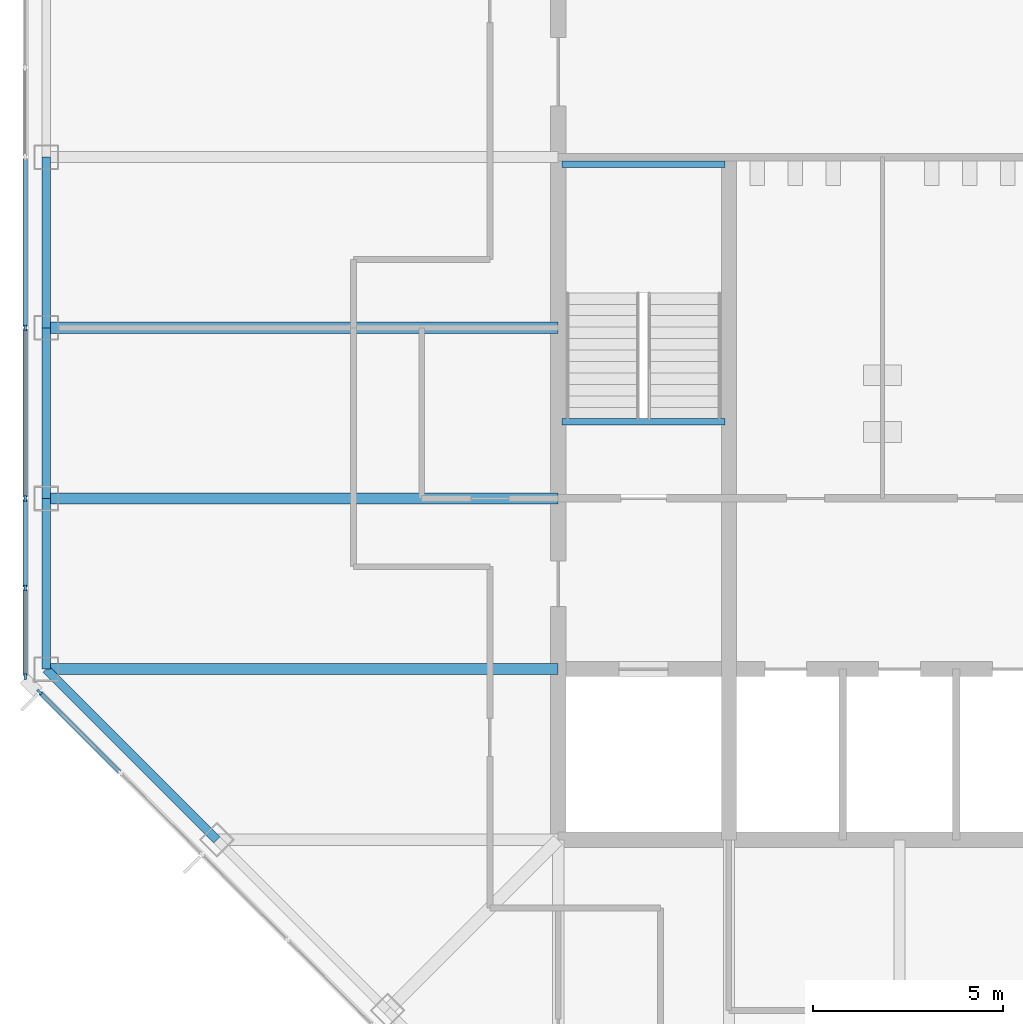
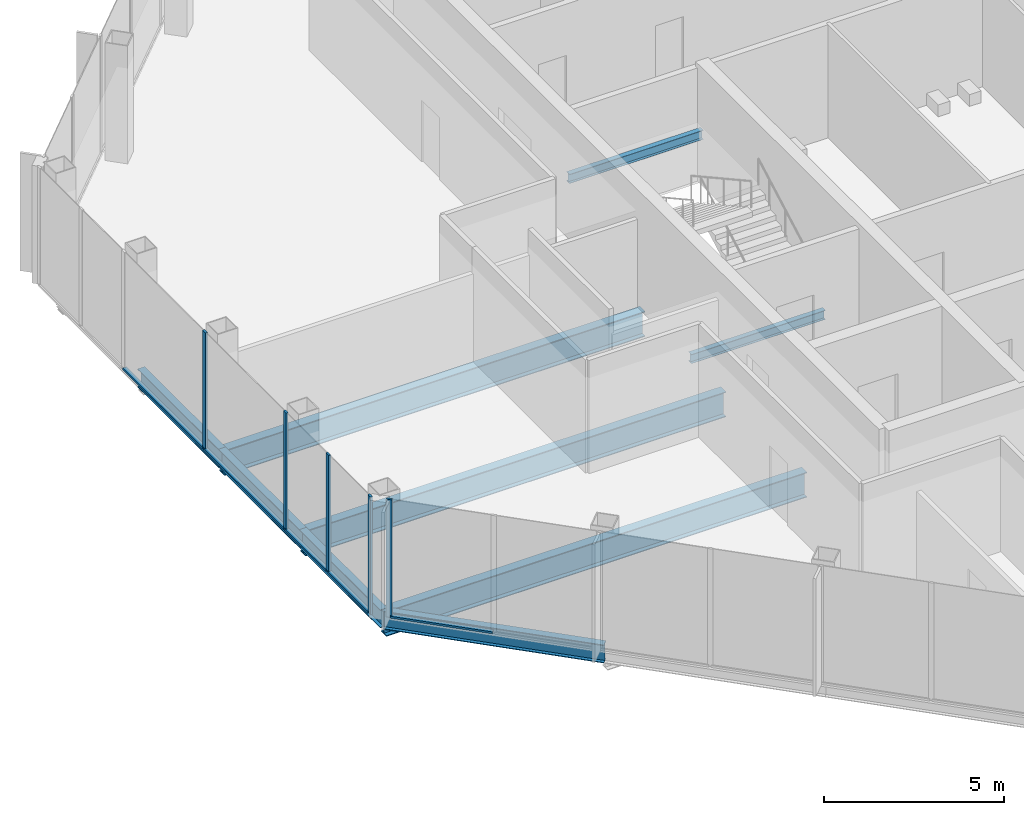
# One storey, part 3 of 13: 10 members, 9 beams, 2 elements without a shape of their own.
"""IFC4 building model written with IfcOpenShell, lengths in metres."""

import ifcopenshell
import ifcopenshell.guid

model = None  # the IFC model being written
_history = None  # IfcOwnerHistory: only IFC2X3 demands one
_inside = {}  # id of a spatial element -> (the spatial element, [elements in it])
_under = {}  # id of a project, library or spatial element -> (it, [spatial elements below it])
_declared = {}  # id of a project -> (the project, [libraries it declares])
_typed = {}  # id of a type object -> (the type object, [elements of that type])
_made_of = {}  # id of a material, layer set ... -> (it, [elements and type objects made of it])


def new_model(schema):
    """Start an empty IFC model of exactly this schema.

    Asked for "IFC4X3", IfcOpenShell would pick the latest addendum, in which some entities
    have other attributes; the version numbers below select the first issue.
    IFC2X3 requires an IfcOwnerHistory on every rooted entity: one is made here for all.
    """
    global model, _history
    if schema == "IFC4X3":
        model = ifcopenshell.file(schema_version=(4, 3, 0, 0))
    else:
        model = ifcopenshell.file(schema=schema)
    _inside.clear()
    _under.clear()
    _declared.clear()
    _typed.clear()
    _made_of.clear()
    _history = None
    if model.schema == "IFC2X3":
        org = make("IfcOrganization", Name="unknown")
        user = make(
            "IfcPersonAndOrganization",
            ThePerson=make("IfcPerson", FamilyName="unknown"),
            TheOrganization=org,
        )
        app = make(
            "IfcApplication",
            ApplicationDeveloper=org,
            Version="unknown",
            ApplicationFullName="unknown",
            ApplicationIdentifier="unknown",
        )
        _history = make(
            "IfcOwnerHistory",
            OwningUser=user,
            OwningApplication=app,
            ChangeAction="ADDED",
            CreationDate=0,
        )
    return model


def make(cls, **values):
    """One entity of the class cls with the attributes given. An attribute that is None is left unset."""
    return model.create_entity(
        cls, **{name: value for name, value in values.items() if value is not None}
    )


def rooted(cls, **values):
    """An entity with a GlobalId (a new one), such as an element, a storey or a relation."""
    return make(cls, GlobalId=ifcopenshell.guid.new(), OwnerHistory=_history, **values)


def si_unit(unit_type, name, prefix=None):
    """IfcSIUnit, for example si_unit("LENGTHUNIT", "METRE", prefix="MILLI")."""
    return make("IfcSIUnit", UnitType=unit_type, Prefix=prefix, Name=name)


def assignment(units):
    """IfcUnitAssignment: the units of a project."""
    return None if units is None else make("IfcUnitAssignment", Units=units)


def point(xyz):
    """IfcCartesianPoint."""
    return None if xyz is None else make("IfcCartesianPoint", Coordinates=xyz)


def direction(xyz):
    """IfcDirection."""
    return None if xyz is None else make("IfcDirection", DirectionRatios=xyz)


def frame(location, z_axis=None, x_axis=None):
    """IfcAxis2Placement3D, a coordinate frame: its origin and axes. An axis left out is left unset."""
    return make(
        "IfcAxis2Placement3D",
        Location=point(location),
        Axis=direction(z_axis),
        RefDirection=direction(x_axis),
    )


def frame_2d(location, x_axis=None):
    """IfcAxis2Placement2D, a coordinate frame in the plane: its origin and x axis."""
    return make(
        "IfcAxis2Placement2D", Location=point(location), RefDirection=direction(x_axis)
    )


def origin():
    """The frame at (0, 0, 0) with its axes left unset."""
    return frame((0.0, 0.0, 0.0))


def origin_2d():
    """The frame at (0, 0) in the plane with its x axis left unset."""
    return frame_2d((0.0, 0.0))


def place(relative_to, where):
    """IfcLocalPlacement: puts the frame where relative to a parent placement (None: the world)."""
    return make(
        "IfcLocalPlacement", PlacementRelTo=relative_to, RelativePlacement=where
    )


def context(
    kind, dimensions, precision=None, world=None, true_north=None, identifier=None
):
    """IfcGeometricRepresentationContext, for example the 3D "Model" context."""
    return make(
        "IfcGeometricRepresentationContext",
        ContextIdentifier=identifier,
        ContextType=kind,
        CoordinateSpaceDimension=dimensions,
        Precision=precision,
        WorldCoordinateSystem=world,
        TrueNorth=true_north,
    )


def subcontext(parent, identifier, kind, view, scale=None):
    """IfcGeometricRepresentationSubContext, for example "Body" below "Model"."""
    return make(
        "IfcGeometricRepresentationSubContext",
        ContextIdentifier=identifier,
        ContextType=kind,
        ParentContext=parent,
        TargetScale=scale,
        TargetView=view,
    )


def project(units=None, contexts=None):
    """IfcProject with its units and contexts."""
    return rooted(
        "IfcProject",
        Name="project",
        RepresentationContexts=contexts,
        UnitsInContext=assignment(units),
    )


def spatial(cls, under=None, at=None, **own):
    """A site, building, storey or space (cls), placed at a placement, below another one or the project."""
    s = rooted(cls, ObjectPlacement=at, **own)
    if under is not None:
        _under.setdefault(under.id(), (under, []))[1].append(s)
    return s


def profile(cls, at=None, kind="AREA", **sizes):
    """A parametric profile (cls). Its sizes go by their IFC names, for example OverallWidth=200.0."""
    return make(cls, ProfileType=kind, Position=at, **sizes)


def rectangle(**sizes):
    """IfcRectangleProfileDef."""
    return profile("IfcRectangleProfileDef", **sizes)


def i_section(**sizes):
    """IfcIShapeProfileDef."""
    return profile("IfcIShapeProfileDef", **sizes)


def extrude(swept, where, along, depth):
    """IfcExtrudedAreaSolid: the profile swept, set in the frame where, extruded along a direction by depth."""
    return make(
        "IfcExtrudedAreaSolid",
        SweptArea=swept,
        Position=where,
        ExtrudedDirection=direction(along),
        Depth=depth,
    )


def shape(context_of_items, identifier, shape_type, items):
    """IfcShapeRepresentation: the items that make up one representation, for example the "Body"."""
    return make(
        "IfcShapeRepresentation",
        ContextOfItems=context_of_items,
        RepresentationIdentifier=identifier,
        RepresentationType=shape_type,
        Items=items,
    )


def material(Name=None, Category=None):
    """IfcMaterial."""
    return make("IfcMaterial", Name=Name, Category=Category)


def material_profile(
    of_material, cross_section, Name=None, Category=None, Priority=None
):
    """IfcMaterialProfile: a cross section and its material."""
    return make(
        "IfcMaterialProfile",
        Name=Name,
        Material=of_material,
        Profile=cross_section,
        Priority=Priority,
        Category=Category,
    )


def profile_set(profiles, Name=None, composite=None):
    """IfcMaterialProfileSet."""
    return make(
        "IfcMaterialProfileSet",
        Name=Name,
        MaterialProfiles=profiles,
        CompositeProfile=composite,
    )


def made_of(thing, what):
    """Note that an element or type object is made of a material, layer set ...; save() writes the relation."""
    if what is not None:
        _made_of.setdefault(what.id(), (what, []))[1].append(thing)
    return thing


def type_object(cls, material=None, **own):
    """A type object (cls), such as IfcWallType, which elements share."""
    return made_of(rooted(cls, **own), material)


def element(
    cls,
    number,
    at=None,
    inside=None,
    cuts=None,
    type_object=None,
    material=None,
    context=None,
    identifier="Body",
    shape_type=None,
    held_by="IfcProductDefinitionShape",
    body=None,
    shapes=None,
    **own,
):
    """One element of the class cls, such as IfcWall. Its Tag is "e" and its number.

    at: its placement. inside: the storey or other place that contains it. cuts: it is an
    opening in that element (IfcRelVoidsElement). A single representation is given by context,
    identifier, shape_type and body (its items); several are given by shapes. held_by: the class
    of the entity that holds the representations. save() writes the other relations.
    """
    e = rooted(cls, Tag="e%d" % number, ObjectPlacement=at, **own)
    if body is not None:
        shapes = [shape(context, identifier, shape_type, body)]
    if shapes is not None:
        e.Representation = make(held_by, Representations=shapes)
    if inside is not None:
        _inside.setdefault(inside.id(), (inside, []))[1].append(e)
    if cuts is not None:
        rooted(
            "IfcRelVoidsElement", RelatingBuildingElement=cuts, RelatedOpeningElement=e
        )
    if type_object is not None:
        _typed.setdefault(type_object.id(), (type_object, []))[1].append(e)
    return made_of(e, material)


def aggregate(whole, parts):
    """IfcRelAggregates: a whole, such as a stair, and the parts it consists of."""
    return rooted("IfcRelAggregates", RelatingObject=whole, RelatedObjects=parts)


def save(model, path):
    """Write the relations noted so far, then the file.

    IfcRelAggregates (storeys below a building ...), IfcRelContainedInSpatialStructure (elements
    in a storey), IfcRelDefinesByType, IfcRelAssociatesMaterial and IfcRelDeclares: one each for
    every whole, place, type object, material and project.
    """
    for whole, parts in _under.values():
        aggregate(whole, parts)
    for where, things in _inside.values():
        rooted(
            "IfcRelContainedInSpatialStructure",
            RelatedElements=things,
            RelatingStructure=where,
        )
    for kind, things in _typed.values():
        rooted("IfcRelDefinesByType", RelatedObjects=things, RelatingType=kind)
    for what, things in _made_of.values():
        rooted("IfcRelAssociatesMaterial", RelatedObjects=things, RelatingMaterial=what)
    for by, libraries in _declared.values():
        rooted("IfcRelDeclares", RelatingContext=by, RelatedDefinitions=libraries)
    model.write(path)


model = new_model("IFC4")

# Units and contexts
model_context = context("Model", 3, precision=1e-05, world=origin(), true_north=direction((0.0, 1.0)))
body_context = subcontext(model_context, "Body", "Model", "MODEL_VIEW")
ifc_project = project(units=[si_unit("LENGTHUNIT", "METRE"), si_unit("AREAUNIT", "SQUARE_METRE"), si_unit("VOLUMEUNIT", "CUBIC_METRE"), si_unit("PLANEANGLEUNIT", "RADIAN"), si_unit("MASSUNIT", "GRAM", prefix="KILO")], contexts=[model_context])

# Site, building, storey
site_placement = place(None, origin())
site = spatial("IfcSite", under=ifc_project, at=site_placement, CompositionType="ELEMENT")
building_placement = place(site_placement, origin())
building = spatial("IfcBuilding", under=site, at=building_placement, Name="Corais Broadcast Tower", CompositionType="ELEMENT")
storey_placement = place(building_placement, frame((0.0, 0.0, 238.60009765625)))
storey = spatial("IfcBuildingStorey", under=building, at=storey_placement, Name="L55", CompositionType="ELEMENT", Elevation=238.60009765625)

# Beams
ifc_material_1 = material(Name="Steel ASTM A572 Grade 50", Category="steel")
ifc_material_profile_1 = material_profile(ifc_material_1, i_section(OverallWidth=0.2939453125, OverallDepth=0.85107421875, WebThickness=0.01611328125, FlangeThickness=0.02685546875, at=origin_2d()), Name="W840x226")
ifc_profile_set_1 = profile_set([ifc_material_profile_1], Name="Steel ASTM A572 Grade 50")
beam_type_1 = type_object("IfcBeamType", Name="Floor beam W840x226", PredefinedType="BEAM", material=ifc_profile_set_1)
for number, where, z_axis, x_axis, name in (
    (1, (0.0, 18.0, -0.585693359375), (1.0, 0.0, 0.0), (0.0, 1.0, 0.0), "B1 E/3 to E/6"),
    (2, (0.0, 22.5, -0.585693359375), (1.0, 0.0, 0.0), (0.0, 1.0, 0.0), "B1 F/3 to F/6"),
    (3, (0.0, 27.0, -0.585693359375), (1.0, 0.0, 0.0), (0.0, 1.0, 0.0), "B1 G/3 to G/6"),
):
    element("IfcBeam", number, at=place(storey_placement, frame(where, z_axis=z_axis, x_axis=x_axis)), inside=storey, type_object=beam_type_1, Name=name, PredefinedType="BEAM", context=body_context, shape_type="SweptSolid", body=[
        extrude(i_section(OverallWidth=0.2939453125, OverallDepth=0.85107421875, WebThickness=0.01611328125, FlangeThickness=0.02685546875, at=origin_2d()), origin(), (0.0, 0.0, 1.0), 13.5),
    ])
ifc_material_2 = material(Name="Steel ASTM A572 Grade 50", Category="steel")
ifc_material_profile_2 = material_profile(ifc_material_2, i_section(OverallWidth=0.1650390625, OverallDepth=0.31005859375, WebThickness=0.005859375, FlangeThickness=0.009765625, at=origin_2d()), Name="W310x38.7")
ifc_profile_set_2 = profile_set([ifc_material_profile_2], Name="Steel ASTM A572 Grade 50")
beam_type_2 = type_object("IfcBeamType", Name="Landing trimmer W310x38.7", PredefinedType="BEAM", material=ifc_profile_set_2)
for number, where, z_axis, x_axis, name in (
    (4, (13.60009765625, 24.52490234375, -0.35498046875), (1.0, 0.0, 0.0), (0.0, 1.0, 0.0), "LT1 stair A landing trimmer L55"),
    (5, (13.60009765625, 31.31005859375, 1.64501953125), (1.0, 0.0, 0.0), (0.0, 1.0, 0.0), "LT1 stair A half landing trimmer L55"),
):
    element("IfcBeam", number, at=place(storey_placement, frame(where, z_axis=z_axis, x_axis=x_axis)), inside=storey, type_object=beam_type_2, Name=name, PredefinedType="BEAM", context=body_context, shape_type="SweptSolid", body=[
        extrude(i_section(OverallWidth=0.1650390625, OverallDepth=0.31005859375, WebThickness=0.005859375, FlangeThickness=0.009765625, at=origin_2d()), origin(), (0.0, 0.0, 1.0), 4.2998046875),
    ])

# Curtain wall, member
ifc_material_3 = material(Name="Aluminium and glass", Category="aluminium")
curtain_wall_type = type_object("IfcCurtainWallType", Name="Unitised fritted curtain wall CW3", PredefinedType="NOTDEFINED", material=ifc_material_3)
curtain_wall_1_placement = place(storey_placement, origin())
curtain_wall_1 = element("IfcCurtainWall", 6, at=curtain_wall_1_placement, inside=storey, type_object=curtain_wall_type, Name="CW3 curtain wall L55 1", PredefinedType="NOTDEFINED")
ifc_material_4 = material(Name="Aluminium 6063-T6", Category="aluminium")
ifc_material_profile_3 = material_profile(ifc_material_4, rectangle(XDim=0.06494140625, YDim=0.159912109375, at=origin_2d()), Name="Mullion CW3 65x160")
ifc_profile_set_3 = profile_set([ifc_material_profile_3], Name="Aluminium 6063-T6")
member_type_1 = type_object("IfcMemberType", Name="Mullion CW3 65x160", PredefinedType="MULLION", material=ifc_profile_set_3)
member_1_placement = place(storey_placement, frame((-0.17333984375, 17.3955078125, 0.0), z_axis=(0.0, 0.0, 1.0), x_axis=(-0.707106781187, -0.707106781187, 0.0)))
member_1 = element("IfcMember", 7, at=member_1_placement, type_object=member_type_1, Name="CW3 mullion 9", PredefinedType="MULLION", context=body_context, shape_type="SweptSolid", body=[
    extrude(rectangle(XDim=0.06494140625, YDim=0.159912109375, at=origin_2d()), origin(), (0.0, 0.0, 1.0), 4.0),
])

# Curtain wall, members
curtain_wall_2_placement = place(storey_placement, origin())
curtain_wall_2 = element("IfcCurtainWall", 8, at=curtain_wall_2_placement, inside=storey, type_object=curtain_wall_type, Name="CW3 curtain wall L55 2", PredefinedType="NOTDEFINED")
member_2_placement = place(storey_placement, frame((-0.550048828125, 17.8046875, 0.0), z_axis=(0.0, 0.0, 1.0), x_axis=(-1.0, 0.0, 0.0)))
member_2 = element("IfcMember", 9, at=member_2_placement, type_object=member_type_1, Name="CW3 mullion 1", PredefinedType="MULLION", context=body_context, shape_type="SweptSolid", body=[
    extrude(rectangle(XDim=0.06494140625, YDim=0.159912109375, at=origin_2d()), origin(), (0.0, 0.0, 1.0), 4.0),
])
member_3_placement = place(storey_placement, frame((-0.550048828125, 20.135986328125, 0.0), z_axis=(0.0, 0.0, 1.0), x_axis=(-1.0, 0.0, 0.0)))
member_3 = element("IfcMember", 10, at=member_3_placement, type_object=member_type_1, Name="CW3 mullion 2", PredefinedType="MULLION", context=body_context, shape_type="SweptSolid", body=[
    extrude(rectangle(XDim=0.06494140625, YDim=0.159912109375, at=origin_2d()), origin(), (0.0, 0.0, 1.0), 4.0),
])
member_4_placement = place(storey_placement, frame((-0.550048828125, 22.5, 0.0), z_axis=(0.0, 0.0, 1.0), x_axis=(-1.0, 0.0, 0.0)))
member_4 = element("IfcMember", 11, at=member_4_placement, type_object=member_type_1, Name="CW3 mullion 3", PredefinedType="MULLION", context=body_context, shape_type="SweptSolid", body=[
    extrude(rectangle(XDim=0.06494140625, YDim=0.159912109375, at=origin_2d()), origin(), (0.0, 0.0, 1.0), 4.0),
])
member_5_placement = place(storey_placement, frame((-0.550048828125, 27.0, 0.0), z_axis=(0.0, 0.0, 1.0), x_axis=(-1.0, 0.0, 0.0)))
member_5 = element("IfcMember", 12, at=member_5_placement, type_object=member_type_1, Name="CW3 mullion 4", PredefinedType="MULLION", context=body_context, shape_type="SweptSolid", body=[
    extrude(rectangle(XDim=0.06494140625, YDim=0.159912109375, at=origin_2d()), origin(), (0.0, 0.0, 1.0), 4.0),
])

# Beams
ifc_material_5 = material(Name="Steel ASTM A572 Grade 50", Category="steel")
ifc_material_profile_4 = material_profile(ifc_material_5, i_section(OverallWidth=0.22998046875, OverallDepth=0.616943359375, WebThickness=0.01318359375, FlangeThickness=0.022216796875, at=origin_2d()), Name="W610x140")
ifc_profile_set_4 = profile_set([ifc_material_profile_4], Name="Steel ASTM A572 Grade 50")
beam_type_3 = type_object("IfcBeamType", Name="Spandrel W610x140", PredefinedType="BEAM", material=ifc_profile_set_4)
beam_placement = place(storey_placement, frame((0.0, 18.0, -0.468505859375), z_axis=(0.707106781187, -0.707106781187, 0.0), x_axis=(0.707106781187, 0.707106781187, 0.0)))
element("IfcBeam", 13, at=beam_placement, inside=storey, type_object=beam_type_3, Name="SB3 E/3 to D/4", PredefinedType="BEAM", context=body_context, shape_type="SweptSolid", body=[
    extrude(i_section(OverallWidth=0.22998046875, OverallDepth=0.616943359375, WebThickness=0.01318359375, FlangeThickness=0.022216796875, at=origin_2d()), origin(), (0.0, 0.0, 1.0), 6.364013671875),
])
for number, where, z_axis, x_axis, name in (
    (14, (0.0, 22.5, -0.468505859375), (0.0, -1.0, 0.0), (1.0, 0.0, 0.0), "SB3 F/3 to E/3"),
    (15, (0.0, 27.0, -0.468505859375), (0.0, -1.0, 0.0), (1.0, 0.0, 0.0), "SB3 G/3 to F/3"),
    (16, (0.0, 31.5, -0.468505859375), (0.0, -1.0, 0.0), (1.0, 0.0, 0.0), "SB3 H/3 to G/3"),
):
    element("IfcBeam", number, at=place(storey_placement, frame(where, z_axis=z_axis, x_axis=x_axis)), inside=storey, type_object=beam_type_3, Name=name, PredefinedType="BEAM", context=body_context, shape_type="SweptSolid", body=[
        extrude(i_section(OverallWidth=0.22998046875, OverallDepth=0.616943359375, WebThickness=0.01318359375, FlangeThickness=0.022216796875, at=origin_2d()), origin(), (0.0, 0.0, 1.0), 4.5),
    ])

# Member
ifc_material_6 = material(Name="Aluminium 6063-T6", Category="aluminium")
ifc_material_profile_5 = material_profile(ifc_material_6, rectangle(XDim=0.1201171875, YDim=0.06494140625, at=origin_2d()), Name="Transom CW3 65x120")
ifc_profile_set_5 = profile_set([ifc_material_profile_5], Name="Aluminium 6063-T6")
member_type_2 = type_object("IfcMemberType", Name="Transom CW3 65x120", PredefinedType="USERDEFINED", material=ifc_profile_set_5)
member_6_placement = place(storey_placement, frame((1.934326171875, 15.287841796875, 0.032470703125), z_axis=(-0.707106781187, 0.707106781187, 0.0), x_axis=(-0.707106781187, -0.707106781187, 0.0)))
member_6 = element("IfcMember", 17, at=member_6_placement, type_object=member_type_2, Name="CW3 transom 8.1", ObjectType="TRANSOM", PredefinedType="USERDEFINED", context=body_context, shape_type="SweptSolid", body=[
    extrude(rectangle(XDim=0.1201171875, YDim=0.06494140625, at=origin_2d()), origin(), (0.0, 0.0, 1.0), 2.9482421875),
])

aggregate(curtain_wall_1, [member_1, member_6])

member_7_placement = place(storey_placement, frame((-0.550048828125, 17.837158203125, 0.032470703125), z_axis=(0.0, 1.0, 0.0), x_axis=(-1.0, 0.0, 0.0)))
member_7 = element("IfcMember", 18, at=member_7_placement, type_object=member_type_2, Name="CW3 transom 1.1", ObjectType="TRANSOM", PredefinedType="USERDEFINED", context=body_context, shape_type="SweptSolid", body=[
    extrude(rectangle(XDim=0.1201171875, YDim=0.06494140625, at=origin_2d()), origin(), (0.0, 0.0, 1.0), 2.266357421875),
])

member_8_placement = place(storey_placement, frame((-0.550048828125, 20.168701171875, 0.032470703125), z_axis=(0.0, 1.0, 0.0), x_axis=(-1.0, 0.0, 0.0)))
member_8 = element("IfcMember", 19, at=member_8_placement, type_object=member_type_2, Name="CW3 transom 2.1", ObjectType="TRANSOM", PredefinedType="USERDEFINED", context=body_context, shape_type="SweptSolid", body=[
    extrude(rectangle(XDim=0.1201171875, YDim=0.06494140625, at=origin_2d()), origin(), (0.0, 0.0, 1.0), 2.298828125),
])

member_9_placement = place(storey_placement, frame((-0.550048828125, 22.532470703125, 0.032470703125), z_axis=(0.0, 1.0, 0.0), x_axis=(-1.0, 0.0, 0.0)))
member_9 = element("IfcMember", 20, at=member_9_placement, type_object=member_type_2, Name="CW3 transom 3.1", ObjectType="TRANSOM", PredefinedType="USERDEFINED", context=body_context, shape_type="SweptSolid", body=[
    extrude(rectangle(XDim=0.1201171875, YDim=0.06494140625, at=origin_2d()), origin(), (0.0, 0.0, 1.0), 4.43505859375),
])

member_10_placement = place(storey_placement, frame((-0.550048828125, 27.032470703125, 0.032470703125), z_axis=(0.0, 1.0, 0.0), x_axis=(-1.0, 0.0, 0.0)))
member_10 = element("IfcMember", 21, at=member_10_placement, type_object=member_type_2, Name="CW3 transom 4.1", ObjectType="TRANSOM", PredefinedType="USERDEFINED", context=body_context, shape_type="SweptSolid", body=[
    extrude(rectangle(XDim=0.1201171875, YDim=0.06494140625, at=origin_2d()), origin(), (0.0, 0.0, 1.0), 4.43505859375),
])

aggregate(curtain_wall_2, [member_2, member_3, member_4, member_5, member_7, member_8, member_9, member_10])

save(model, "model.ifc")
